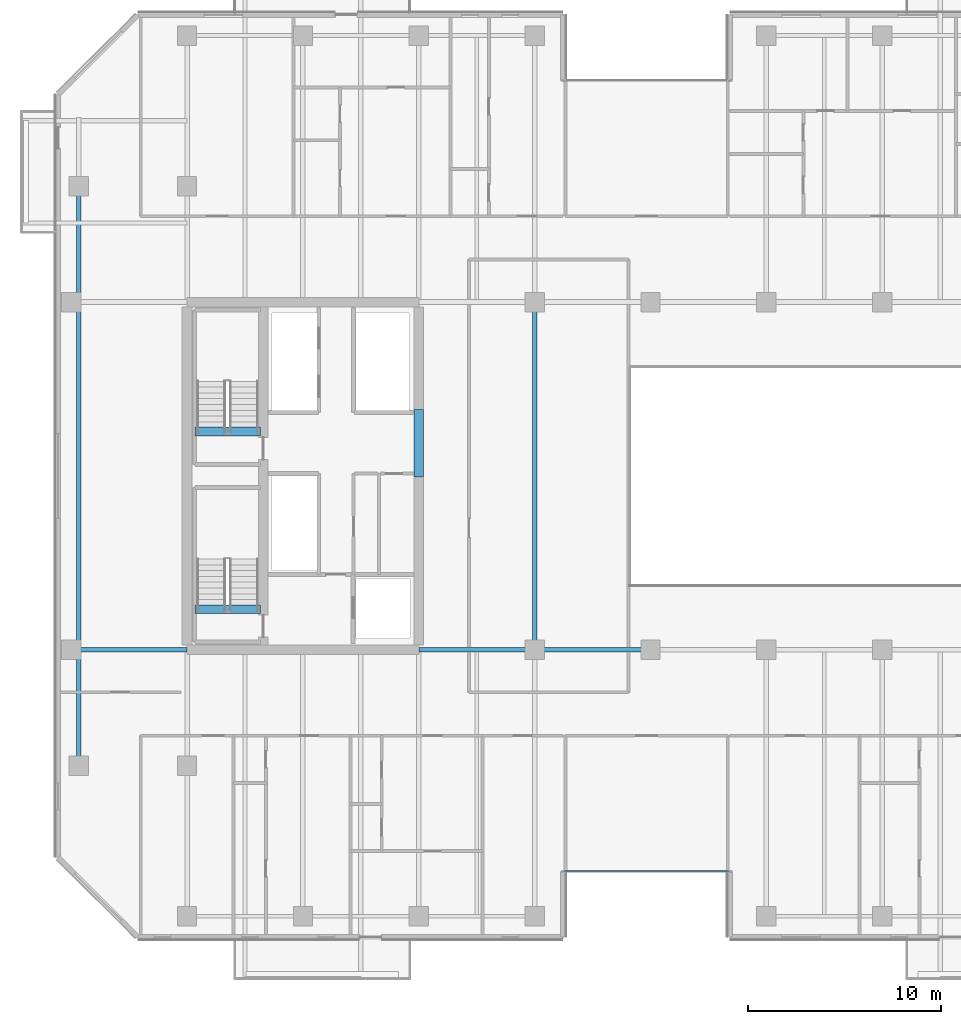
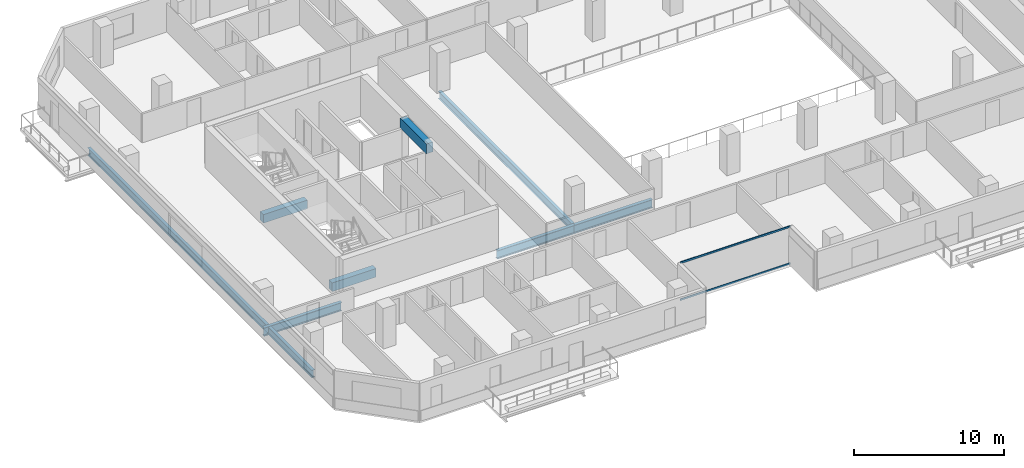
# One storey, part 3 of 23: 8 beams, 2 members, 1 element without a shape of its own.
"""IFC4 building model written with IfcOpenShell, lengths in metres."""

from ifc_helpers import new_model, si_unit, direction, frame, origin, origin_2d, place, context, subcontext, project, spatial, rectangle, hollow_rectangle, i_section, extrude, material, layer, layer_set, material_profile, profile_set, type_object, element, aggregate, save


model = new_model("IFC4")

# Units and contexts
model_context = context("Model", 3, precision=1e-05, world=origin(), true_north=direction((0.0, 1.0)))
body_context = subcontext(model_context, "Body", "Model", "MODEL_VIEW")
ifc_project = project(units=[si_unit("LENGTHUNIT", "METRE"), si_unit("AREAUNIT", "SQUARE_METRE"), si_unit("VOLUMEUNIT", "CUBIC_METRE"), si_unit("PLANEANGLEUNIT", "RADIAN"), si_unit("MASSUNIT", "GRAM", prefix="KILO")], contexts=[model_context])

# Site, building, storey
site_placement = place(None, origin())
site = spatial("IfcSite", under=ifc_project, at=site_placement, CompositionType="ELEMENT")
building_placement = place(site_placement, origin())
building = spatial("IfcBuilding", under=site, at=building_placement, Name="Tanjung Sevakor Pilgrim Tower", CompositionType="ELEMENT")
storey_placement = place(building_placement, frame((0.0, 0.0, 82.169921875)))
storey = spatial("IfcBuildingStorey", under=building, at=storey_placement, Name="L22", CompositionType="ELEMENT", Elevation=82.169921875)

# Beams
ifc_material_1 = material(Name="Steel S355J2", Category="steel")
ifc_material_profile_1 = material_profile(ifc_material_1, i_section(OverallWidth=0.25439453125, OverallDepth=0.6875, WebThickness=0.01318359375, FlangeThickness=0.02099609375, FilletRadius=0.01513671875, at=origin_2d()))
ifc_profile_set_1 = profile_set([ifc_material_profile_1], Name="Steel S355J2")
beam_type_1 = type_object("IfcBeamType", Name="BM-B-G2-UB_686x254x152", PredefinedType="BEAM", material=ifc_profile_set_1)
for number, where, z_axis, x_axis, name in (
    (1, (18.0, 24.60009765625, -0.563720703125), (1.0, 0.0, 0.0), (0.0, 1.0, 0.0), "L22 Primary Floor Girder MAIN Y246-01"),
    (2, (36.0, 24.60009765625, -0.563720703125), (1.0, 0.0, 0.0), (0.0, 1.0, 0.0), "L22 Primary Floor Girder MAIN Y246-02"),
    (3, (42.0, 24.60009765625, -0.563720703125), (1.0, 0.0, 0.0), (0.0, 1.0, 0.0), "L22 Primary Floor Girder MAIN Y246-03"),
):
    element("IfcBeam", number, at=place(storey_placement, frame(where, z_axis=z_axis, x_axis=x_axis)), inside=storey, type_object=beam_type_1, Name=name, PredefinedType="BEAM", context=body_context, shape_type="SweptSolid", body=[
        extrude(i_section(OverallWidth=0.25439453125, OverallDepth=0.6875, WebThickness=0.01318359375, FlangeThickness=0.02099609375, FilletRadius=0.01513671875, at=origin_2d()), origin(), (0.0, 0.0, 1.0), 6.0),
    ])
ifc_material_2 = material(Name="Steel S355J2", Category="steel")
ifc_material_profile_2 = material_profile(ifc_material_2, i_section(OverallWidth=0.230224609375, OverallDepth=0.6171875, WebThickness=0.01318359375, FlangeThickness=0.022216796875, FilletRadius=0.0126953125, at=origin_2d()))
ifc_profile_set_2 = profile_set([ifc_material_profile_2], Name="Steel S355J2")
beam_type_2 = type_object("IfcBeamType", Name="BM-B-G3-UB_610x229x140", PredefinedType="BEAM", material=ifc_profile_set_2)
beam_1_placement = place(storey_placement, frame((42.0, 24.60009765625, -0.528564453125), z_axis=(0.0, 1.0, 0.0), x_axis=(-1.0, 0.0, 0.0)))
element("IfcBeam", 4, at=beam_1_placement, inside=storey, type_object=beam_type_2, Name="L22 MAIN Girder 010", PredefinedType="BEAM", context=body_context, shape_type="SweptSolid", body=[
    extrude(i_section(OverallWidth=0.230224609375, OverallDepth=0.6171875, WebThickness=0.01318359375, FlangeThickness=0.022216796875, FilletRadius=0.0126953125, at=origin_2d()), origin(), (0.0, 0.0, 1.0), 18.0),
])
ifc_material_3 = material(Name="Steel S355J2", Category="steel")
ifc_material_profile_3 = material_profile(ifc_material_3, i_section(OverallWidth=0.22900390625, OverallDepth=0.6123046875, WebThickness=0.011962890625, FlangeThickness=0.01953125, FilletRadius=0.0126953125, at=origin_2d()))
ifc_profile_set_3 = profile_set([ifc_material_profile_3], Name="Steel S355J2")
beam_type_3 = type_object("IfcBeamType", Name="BM-B-G4-UB_610x229x125", PredefinedType="BEAM", material=ifc_profile_set_3)
beam_2_placement = place(storey_placement, frame((18.39990234375, 18.60009765625, -0.526123046875), z_axis=(0.0, 1.0, 0.0), x_axis=(-1.0, 0.0, 0.0)))
element("IfcBeam", 5, at=beam_2_placement, inside=storey, type_object=beam_type_3, Name="L22 Short-End Edge Girder W", PredefinedType="BEAM", context=body_context, shape_type="SweptSolid", body=[
    extrude(i_section(OverallWidth=0.22900390625, OverallDepth=0.6123046875, WebThickness=0.011962890625, FlangeThickness=0.01953125, FilletRadius=0.0126953125, at=origin_2d()), origin(), (0.0, 0.0, 1.0), 30.0),
])
ifc_material_4 = material(Name="Concrete C60/75", Category="concrete")
ifc_material_profile_4 = material_profile(ifc_material_4, rectangle(XDim=0.5, YDim=0.800048828125, at=origin_2d()))
ifc_profile_set_4 = profile_set([ifc_material_profile_4], Name="Concrete C60/75")
beam_type_4 = type_object("IfcBeamType", Name="BM-B-LN2-RC-BM_500x800", PredefinedType="LINTEL", material=ifc_profile_set_4)
beam_3_placement = place(storey_placement, frame((36.0, 33.550048828125, 2.68017578125), z_axis=(0.0, 1.0, 0.0), x_axis=(-1.0, 0.0, 0.0)))
element("IfcBeam", 6, at=beam_3_placement, inside=storey, type_object=beam_type_4, Name="L22 W Core Coupling Lintel", PredefinedType="LINTEL", context=body_context, shape_type="SweptSolid", body=[
    extrude(rectangle(XDim=0.5, YDim=0.800048828125, at=origin_2d()), origin(), (0.0, 0.0, 1.0), 3.5),
])
ifc_material_5 = material(Name="Concrete C60/75", Category="concrete")
ifc_material_profile_5 = material_profile(ifc_material_5, rectangle(XDim=0.449951171875, YDim=0.699951171875, at=origin_2d()))
ifc_profile_set_5 = profile_set([ifc_material_profile_5], Name="Concrete C60/75")
beam_type_5 = type_object("IfcBeamType", Name="BM-B-LN3-RC-BM_450x700", PredefinedType="LINTEL", material=ifc_profile_set_5)
for number, where, z_axis, x_axis, name in (
    (7, (24.39990234375, 26.699951171875, -0.349853515625), (1.0, 0.0, 0.0), (0.0, 1.0, 0.0), "L22 TS-W1 Stair Threshold Beam"),
    (8, (24.39990234375, 35.89990234375, -0.349853515625), (1.0, 0.0, 0.0), (0.0, 1.0, 0.0), "L22 TS-W2 Stair Threshold Beam"),
):
    element("IfcBeam", number, at=place(storey_placement, frame(where, z_axis=z_axis, x_axis=x_axis)), inside=storey, type_object=beam_type_5, Name=name, PredefinedType="LINTEL", context=body_context, shape_type="SweptSolid", body=[
        extrude(rectangle(XDim=0.449951171875, YDim=0.699951171875, at=origin_2d()), origin(), (0.0, 0.0, 1.0), 3.400146484375),
    ])

# Curtain wall, members
ifc_material_6 = material(Name="Aluminium 6063-T6 and Low-E Glass", Category="aluminium")
ifc_layer = layer(ifc_material_6, 0.179931640625)
ifc_layer_set = layer_set([ifc_layer], Name="CW-SYS-CLEFT")
curtain_wall_type = type_object("IfcCurtainWallType", Name="CW-SYS-CLEFT", PredefinedType="NOTDEFINED", material=ifc_layer_set)
curtain_wall_placement = place(storey_placement, origin())
curtain_wall = element("IfcCurtainWall", 9, at=curtain_wall_placement, inside=storey, type_object=curtain_wall_type, Name="L22 Curtain Wall CW-CLF-L22-2", PredefinedType="NOTDEFINED")
ifc_material_7 = material(Name="Aluminium 6063-T6", Category="aluminium")
ifc_material_profile_6 = material_profile(ifc_material_7, hollow_rectangle(XDim=0.06494140625, YDim=0.139892578125, WallThickness=0.00390625, at=origin_2d()))
ifc_profile_set_6 = profile_set([ifc_material_profile_6], Name="Aluminium 6063-T6")
member_type = type_object("IfcMemberType", Name="TYPE-CWT-1", PredefinedType="USERDEFINED", material=ifc_profile_set_6)
member_1_placement = place(storey_placement, frame((43.550048828125, 13.125, 0.032470703125), z_axis=(1.0, 0.0, 0.0), x_axis=(0.0, 1.0, 0.0)))
member_1 = element("IfcMember", 10, at=member_1_placement, type_object=member_type, Name="CW-CLF transom 1.1", ObjectType="TRANSOM", PredefinedType="USERDEFINED", context=body_context, shape_type="SweptSolid", body=[
    extrude(hollow_rectangle(XDim=0.06494140625, YDim=0.139892578125, WallThickness=0.00390625, at=origin_2d()), origin(), (0.0, 0.0, 1.0), 8.5),
])
member_2_placement = place(storey_placement, frame((43.550048828125, 13.125, 3.047607421875), z_axis=(1.0, 0.0, 0.0), x_axis=(0.0, 1.0, 0.0)))
member_2 = element("IfcMember", 11, at=member_2_placement, type_object=member_type, Name="CW-CLF transom 1.2", ObjectType="TRANSOM", PredefinedType="USERDEFINED", context=body_context, shape_type="SweptSolid", body=[
    extrude(hollow_rectangle(XDim=0.06494140625, YDim=0.139892578125, WallThickness=0.00390625, at=origin_2d()), origin(), (0.0, 0.0, 1.0), 8.5),
])
aggregate(curtain_wall, [member_1, member_2])

save(model, "model.ifc")
